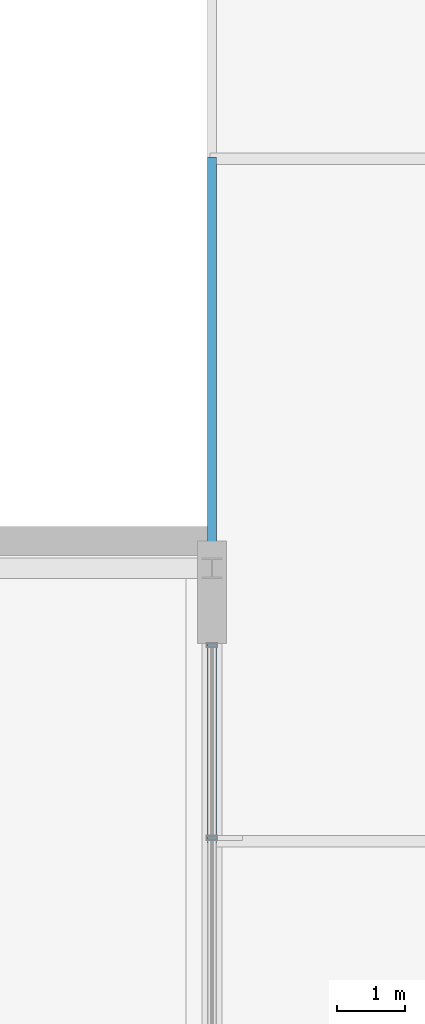
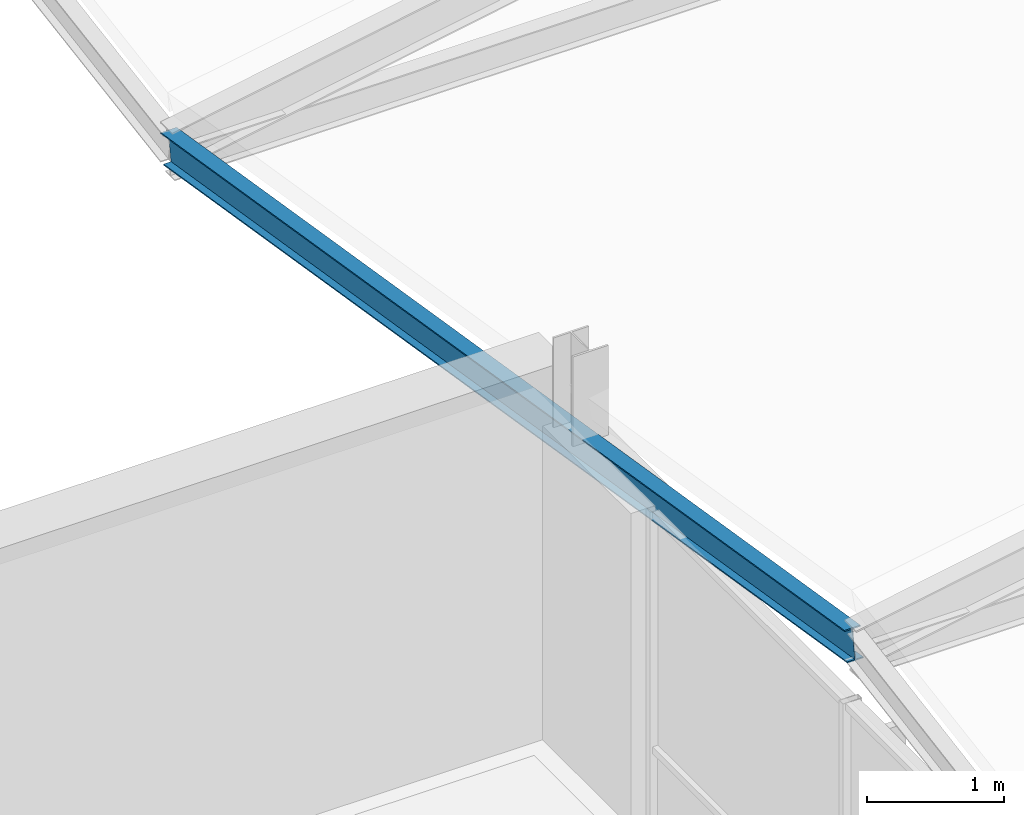
# One storey, part 46 of 189: 1 member.
"""IFC4 building model written with IfcOpenShell, lengths in metres."""

from ifc_helpers import new_model, si_unit, direction, frame, origin, origin_2d, place, context, subcontext, project, spatial, i_section, extrude, material, material_profile, profile_set, type_object, element, save


model = new_model("IFC4")

# Units and contexts
model_context = context("Model", 3, precision=1e-05, world=origin(), true_north=direction((0.0, 1.0)))
body_context = subcontext(model_context, "Body", "Model", "MODEL_VIEW")
ifc_project = project(units=[si_unit("LENGTHUNIT", "METRE"), si_unit("AREAUNIT", "SQUARE_METRE"), si_unit("VOLUMEUNIT", "CUBIC_METRE"), si_unit("PLANEANGLEUNIT", "RADIAN"), si_unit("MASSUNIT", "GRAM", prefix="KILO")], contexts=[model_context])

# Site, building, storey
site_placement = place(None, origin())
site = spatial("IfcSite", under=ifc_project, at=site_placement, CompositionType="ELEMENT")
building_placement = place(site_placement, origin())
building = spatial("IfcBuilding", under=site, at=building_placement, Name="Zavelmont Quarter", CompositionType="ELEMENT")
storey_placement = place(building_placement, frame((0.0, 0.0, 4.39990234375)))
storey = spatial("IfcBuildingStorey", under=building, at=storey_placement, Name="L01", CompositionType="ELEMENT", Elevation=4.39990234375)

# Member
ifc_material = material(Name="Steel S355", Category="steel")
ifc_material_profile = material_profile(ifc_material, i_section(OverallWidth=0.135009765625, OverallDepth=0.27001953125, WebThickness=0.006591796875, FlangeThickness=0.01025390625, at=origin_2d()), Name="IPE 270")
ifc_profile_set = profile_set([ifc_material_profile], Name="Steel S355")
member_type = type_object("IfcMemberType", Name="PR01", PredefinedType="PURLIN", material=ifc_profile_set)
member_placement = place(storey_placement, frame((76.0, 10.0, 3.320068359375), z_axis=(0.0, 0.987132736639, -0.159902971377), x_axis=(-1.0, 0.0, 0.0)))
element("IfcMember", 1, at=member_placement, inside=storey, type_object=member_type, Name="L01 member PR01 12/C to 12/D", PredefinedType="PURLIN", context=body_context, shape_type="SweptSolid", body=[
    extrude(i_section(OverallWidth=0.135009765625, OverallDepth=0.27001953125, WebThickness=0.006591796875, FlangeThickness=0.01025390625, at=origin_2d()), origin(), (0.0, 0.0, 1.0), 10.13037109375),
])

save(model, "model.ifc")
